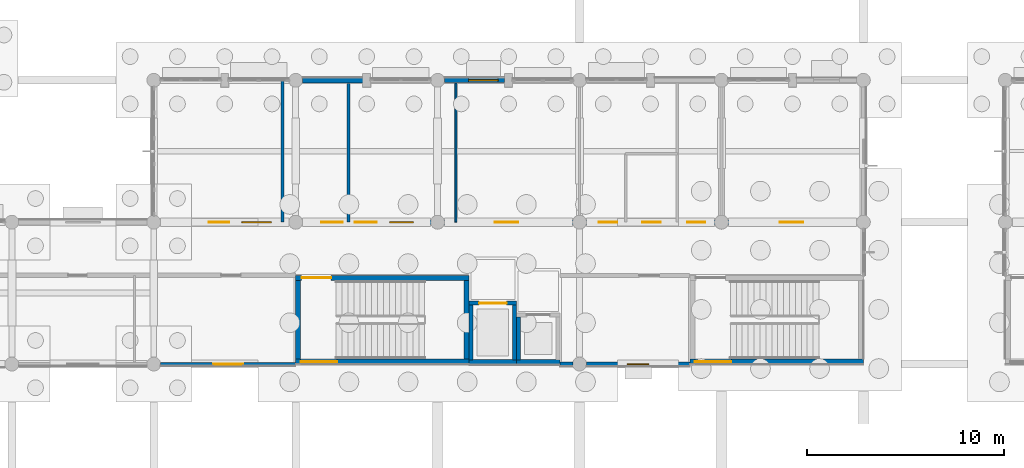
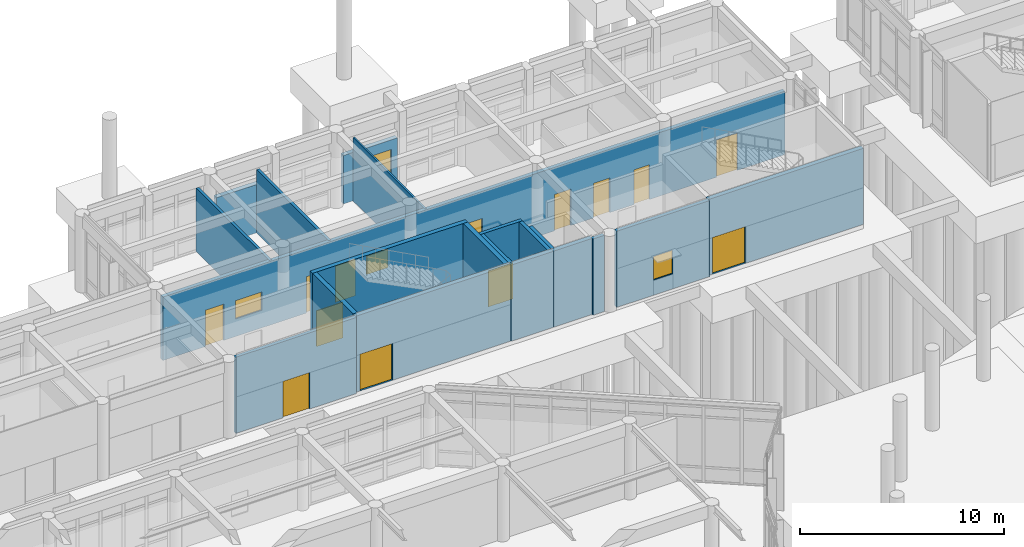
# One storey, part 58 of 103: 20 walls, 13 doors, 4 windows, 17 openings.
"""IFC4 building model written with IfcOpenShell, lengths in metres."""

from ifc_helpers import new_model, si_unit, direction, frame, frame_2d, origin, place, context, subcontext, project, spatial, rectangle, extrude, material, layer, layer_set, type_object, element, fill, save


model = new_model("IFC4")

# Units and contexts
model_context = context("Model", 3, precision=1e-05, world=origin(), true_north=direction((0.0, 1.0)))
body_context = subcontext(model_context, "Body", "Model", "MODEL_VIEW")
ifc_project = project(units=[si_unit("LENGTHUNIT", "METRE"), si_unit("AREAUNIT", "SQUARE_METRE"), si_unit("VOLUMEUNIT", "CUBIC_METRE"), si_unit("PLANEANGLEUNIT", "RADIAN"), si_unit("MASSUNIT", "GRAM", prefix="KILO")], contexts=[model_context])

# Site, building, storey
site_placement = place(None, origin())
site = spatial("IfcSite", under=ifc_project, at=site_placement, CompositionType="ELEMENT")
building_placement = place(site_placement, origin())
building = spatial("IfcBuilding", under=site, at=building_placement, Name="Namkhue Oval Health Centre", CompositionType="ELEMENT")
storey_placement = place(building_placement, origin())
storey = spatial("IfcBuildingStorey", under=building, at=storey_placement, Name="L00", CompositionType="ELEMENT", Elevation=0.0)

# Wall, opening, door
ifc_material_1 = material(Name="Autoclaved aerated concrete blockwork M7.5", Category="masonry")
ifc_layer_1 = layer(ifc_material_1, 0.18994140625)
ifc_layer_set_1 = layer_set([ifc_layer_1], Name="Autoclaved aerated concrete blockwork M7.5")
wall_type_1 = type_object("IfcWallType", Name="EXTERIOR ENVELOPE WALL 190", PredefinedType="STANDARD", material=ifc_layer_set_1)
wall_1_placement = place(storey_placement, frame((50.7451171875, 90.0, 0.0), z_axis=(0.0, 0.0, 1.0), x_axis=(1.0, 0.0, 0.0)))
wall_1 = element("IfcWall", 1, at=wall_1_placement, inside=storey, type_object=wall_type_1, Name="Volume V2 L00 Exterior Envelope Wall 18", PredefinedType="STANDARD", context=body_context, shape_type="SweptSolid", body=[
    extrude(rectangle(XDim=6.852783203125, YDim=0.18994140625, at=frame_2d((3.42626953125, 0.0))), origin(), (0.0, 0.0, 1.0), 4.56005859375),
])
opening_1_placement = place(wall_1_placement, frame((2.66650390625, 0.0, 0.0)))
opening_1 = element("IfcOpeningElement", 2, at=opening_1_placement, cuts=wall_1, Name="Opening ED-06", PredefinedType="OPENING", context=body_context, shape_type="SweptSolid", body=[
    extrude(rectangle(XDim=1.52001953125, YDim=2.179931640625, at=frame_2d((0.760009765625, 1.08984375))), frame((0.0, 0.10498046875, 0.0), z_axis=(0.0, -1.0, 0.0), x_axis=(1.0, 0.0, 0.0)), (0.0, 0.0, 1.0), 0.2099609375),
])
ifc_material_2 = material(Name="Anodised aluminium glazed entrance door", Category="aluminium")
door_type_1 = type_object("IfcDoorType", Name="ENTRANCE DOOR 1520X2180", OperationType="DOUBLE_DOOR_SINGLE_SWING", PredefinedType="DOOR", material=ifc_material_2)
door_1_placement = place(opening_1_placement, frame((1.52001953125, 0.0, 0.0), z_axis=(0.0, 0.0, 1.0), x_axis=(-1.0, 0.0, 0.0)))
door_1 = element("IfcDoor", 3, at=door_1_placement, inside=storey, type_object=door_type_1, Name="Volume V2 Main Pedestrian Entrance Exit Door 6", OperationType="DOUBLE_DOOR_SINGLE_SWING", OverallHeight=2.179931640625, OverallWidth=1.52001953125, PredefinedType="DOOR", context=body_context, shape_type="SweptSolid", body=[
    extrude(rectangle(XDim=1.52001953125, YDim=2.179931640625, at=frame_2d((0.760009765625, 1.08984375))), frame((0.0, 0.02490234375, 0.0), z_axis=(0.0, -1.0, 0.0), x_axis=(1.0, 0.0, 0.0)), (0.0, 0.0, 1.0), 0.050048828125),
])
fill(opening_1, door_1)

# Wall
ifc_layer_2 = layer(ifc_material_1, 0.199951171875)
ifc_layer_set_2 = layer_set([ifc_layer_2], Name="Autoclaved aerated concrete blockwork M7.5")
wall_type_2 = type_object("IfcWallType", Name="EXTERIOR ENVELOPE WALL 200", PredefinedType="STANDARD", material=ifc_layer_set_2)
wall_2_placement = place(storey_placement, frame((71.001953125, 90.0, 0.0), z_axis=(0.0, 0.0, 1.0), x_axis=(1.0, 0.0, 0.0)))
element("IfcWall", 4, at=wall_2_placement, inside=storey, type_object=wall_type_2, Name="Volume V2 L00 Exterior Envelope Wall 19", PredefinedType="STANDARD", context=body_context, shape_type="SweptSolid", body=[
    extrude(rectangle(XDim=0.653076171875, YDim=0.199951171875, at=frame_2d((0.32666015625, 0.0))), origin(), (0.0, 0.0, 1.0), 4.56005859375),
])

# Wall, opening, window
ifc_layer_3 = layer(ifc_material_1, 0.2099609375)
ifc_layer_set_3 = layer_set([ifc_layer_3], Name="Autoclaved aerated concrete blockwork M7.5")
wall_type_3 = type_object("IfcWallType", Name="EXTERIOR ENVELOPE WALL 210", PredefinedType="STANDARD", material=ifc_layer_set_3)
wall_3_placement = place(storey_placement, frame((72.344970703125, 90.0, 0.0), z_axis=(0.0, 0.0, 1.0), x_axis=(1.0, 0.0, 0.0)))
wall_3 = element("IfcWall", 5, at=wall_3_placement, inside=storey, type_object=wall_type_3, Name="Volume V2 L00 Exterior Envelope Wall 20", PredefinedType="STANDARD", context=body_context, shape_type="SweptSolid", body=[
    extrude(rectangle(XDim=5.2529296875, YDim=0.2099609375, at=frame_2d((2.62646484375, 0.0))), origin(), (0.0, 0.0, 1.0), 4.56005859375),
])
opening_2_placement = place(wall_3_placement, frame((2.076416015625, 0.0, 0.89990234375)))
opening_2 = element("IfcOpeningElement", 6, at=opening_2_placement, cuts=wall_3, Name="Opening WN-11", PredefinedType="OPENING", context=body_context, shape_type="SweptSolid", body=[
    extrude(rectangle(XDim=1.10009765625, YDim=1.419921875, at=frame_2d((0.550048828125, 0.7099609375))), frame((0.0, 0.114990234375, 0.0), z_axis=(0.0, -1.0, 0.0), x_axis=(1.0, 0.0, 0.0)), (0.0, 0.0, 1.0), 0.22998046875),
])
ifc_material_3 = material(Name="Thermally broken low-E laminated double glazing", Category="glass")
window_type_1 = type_object("IfcWindowType", Name="EXTERIOR WINDOW 1100X1420", PartitioningType="SINGLE_PANEL", PredefinedType="WINDOW", material=ifc_material_3)
window_1_placement = place(opening_2_placement, origin())
window_1 = element("IfcWindow", 7, at=window_1_placement, inside=storey, type_object=window_type_1, Name="Volume V2 L00 Exterior Window 11", OverallHeight=1.419921875, OverallWidth=1.10009765625, PartitioningType="SINGLE_PANEL", PredefinedType="WINDOW", context=body_context, shape_type="SweptSolid", body=[
    extrude(rectangle(XDim=1.10009765625, YDim=1.419921875, at=frame_2d((0.550048828125, 0.7099609375))), frame((0.0, 0.030029296875, 0.0), z_axis=(0.0, -1.0, 0.0), x_axis=(1.0, 0.0, 0.0)), (0.0, 0.0, 1.0), 0.06005859375),
])
fill(opening_2, window_1)

ifc_layer_4 = layer(ifc_material_1, 0.25)
ifc_layer_set_4 = layer_set([ifc_layer_4], Name="Autoclaved aerated concrete blockwork M7.5")
wall_type_4 = type_object("IfcWallType", Name="EXTERIOR ENVELOPE WALL 250", PredefinedType="STANDARD", material=ifc_layer_set_4)
wall_4_placement = place(storey_placement, frame((68.2041015625, 104.39990234375, 0.0), z_axis=(0.0, 0.0, 1.0), x_axis=(-1.0, 0.0, 0.0)))
wall_4 = element("IfcWall", 8, at=wall_4_placement, inside=storey, type_object=wall_type_4, Name="Volume V2 L00 Exterior Envelope Wall 24", PredefinedType="STANDARD", context=body_context, shape_type="SweptSolid", body=[
    extrude(rectangle(XDim=3.05908203125, YDim=0.25, at=frame_2d((1.529541015625, 0.0))), origin(), (0.0, 0.0, 1.0), 2.89990234375),
])
opening_3_placement = place(wall_4_placement, frame((0.32958984375, 0.0, 0.89990234375)))
opening_3 = element("IfcOpeningElement", 9, at=opening_3_placement, cuts=wall_4, Name="Opening WN-15", PredefinedType="OPENING", context=body_context, shape_type="SweptSolid", body=[
    extrude(rectangle(XDim=1.5, YDim=1.419921875, at=frame_2d((0.75, 0.7099609375))), frame((0.0, 0.135009765625, 0.0), z_axis=(0.0, -1.0, 0.0), x_axis=(1.0, 0.0, 0.0)), (0.0, 0.0, 1.0), 0.27001953125),
])
window_type_2 = type_object("IfcWindowType", Name="EXTERIOR WINDOW 1500X1420", PartitioningType="SINGLE_PANEL", PredefinedType="WINDOW", material=ifc_material_3)
window_2_placement = place(opening_3_placement, origin())
window_2 = element("IfcWindow", 10, at=window_2_placement, inside=storey, type_object=window_type_2, Name="Volume V2 L00 Exterior Window 15", OverallHeight=1.419921875, OverallWidth=1.5, PartitioningType="SINGLE_PANEL", PredefinedType="WINDOW", context=body_context, shape_type="SweptSolid", body=[
    extrude(rectangle(XDim=1.5, YDim=1.419921875, at=frame_2d((0.75, 0.7099609375))), frame((0.0, 0.030029296875, 0.0), z_axis=(0.0, -1.0, 0.0), x_axis=(1.0, 0.0, 0.0)), (0.0, 0.0, 1.0), 0.06005859375),
])
fill(opening_3, window_2)

# Wall
ifc_layer_5 = layer(ifc_material_1, 0.260009765625)
ifc_layer_set_5 = layer_set([ifc_layer_5], Name="Autoclaved aerated concrete blockwork M7.5")
wall_type_5 = type_object("IfcWallType", Name="EXTERIOR ENVELOPE WALL 260", PredefinedType="STANDARD", material=ifc_layer_set_5)
wall_5_placement = place(storey_placement, frame((61.00390625, 104.39990234375, 0.0), z_axis=(0.0, 0.0, 1.0), x_axis=(-1.0, 0.0, 0.0)))
element("IfcWall", 11, at=wall_5_placement, inside=storey, type_object=wall_type_5, Name="Volume V2 L00 Exterior Envelope Wall 25", PredefinedType="STANDARD", context=body_context, shape_type="SweptSolid", body=[
    extrude(rectangle(XDim=3.058837890625, YDim=0.260009765625, at=frame_2d((1.529296875, 0.0))), origin(), (0.0, 0.0, 1.0), 2.89990234375),
])

# Wall, openings, doors, windows
ifc_material_4 = material(Name="Gypsum plasterboard acoustic partition", Category="gypsum")
ifc_layer_6 = layer(ifc_material_4, 0.215087890625)
ifc_layer_set_6 = layer_set([ifc_layer_6], Name="Gypsum plasterboard acoustic partition")
wall_type_6 = type_object("IfcWallType", Name="FIRE PARTITION WALL 215", PredefinedType="PARTITIONING", material=ifc_layer_set_6)
wall_6_placement = place(storey_placement, frame((50.75, 97.199951171875, 0.0), z_axis=(0.0, 0.0, 1.0), x_axis=(1.0, 0.0, 0.0)))
wall_6 = element("IfcWall", 12, at=wall_6_placement, inside=storey, type_object=wall_type_6, Name="Volume V2 L00 Clinical Partition Wall 33", PredefinedType="PARTITIONING", context=body_context, shape_type="SweptSolid", body=[
    extrude(rectangle(XDim=35.300048828125, YDim=0.215087890625, at=frame_2d((17.64990234375, 0.0))), origin(), (0.0, 0.0, 1.0), 3.81005859375),
])
opening_4_placement = place(wall_6_placement, frame((2.43798828125, 0.0, 0.0)))
opening_4 = element("IfcOpeningElement", 13, at=opening_4_placement, cuts=wall_6, Name="Opening CD-15", PredefinedType="OPENING", context=body_context, shape_type="SweptSolid", body=[
    extrude(rectangle(XDim=1.030029296875, YDim=2.179931640625, at=frame_2d((0.51513671875, 1.08984375))), frame((0.0, 0.117431640625, 0.0), z_axis=(0.0, -1.0, 0.0), x_axis=(1.0, 0.0, 0.0)), (0.0, 0.0, 1.0), 0.235107421875),
])
opening_5_placement = place(wall_6_placement, frame((4.117919921875, 0.0, 1.050048828125)))
opening_5 = element("IfcOpeningElement", 14, at=opening_5_placement, cuts=wall_6, Name="Opening IWN-02", PredefinedType="OPENING", context=body_context, shape_type="SweptSolid", body=[
    extrude(rectangle(XDim=1.5, YDim=1.10009765625, at=frame_2d((0.75, 0.550048828125))), frame((0.0, 0.117431640625, 0.0), z_axis=(0.0, -1.0, 0.0), x_axis=(1.0, 0.0, 0.0)), (0.0, 0.0, 1.0), 0.235107421875),
])
opening_6_placement = place(wall_6_placement, frame((8.156982421875, 0.0, 0.0)))
opening_6 = element("IfcOpeningElement", 15, at=opening_6_placement, cuts=wall_6, Name="Opening CD-16", PredefinedType="OPENING", context=body_context, shape_type="SweptSolid", body=[
    extrude(rectangle(XDim=1.080078125, YDim=2.179931640625, at=frame_2d((0.5400390625, 1.08984375))), frame((0.0, 0.117431640625, 0.0), z_axis=(0.0, -1.0, 0.0), x_axis=(1.0, 0.0, 0.0)), (0.0, 0.0, 1.0), 0.235107421875),
])
opening_7_placement = place(wall_6_placement, frame((9.8369140625, 0.0, 0.0)))
opening_7 = element("IfcOpeningElement", 16, at=opening_7_placement, cuts=wall_6, Name="Opening CD-17", PredefinedType="OPENING", context=body_context, shape_type="SweptSolid", body=[
    extrude(rectangle(XDim=1.1298828125, YDim=2.179931640625, at=frame_2d((0.56494140625, 1.08984375))), frame((0.0, 0.117431640625, 0.0), z_axis=(0.0, -1.0, 0.0), x_axis=(1.0, 0.0, 0.0)), (0.0, 0.0, 1.0), 0.235107421875),
])
opening_8_placement = place(wall_6_placement, frame((11.616943359375, 0.0, 1.050048828125)))
opening_8 = element("IfcOpeningElement", 17, at=opening_8_placement, cuts=wall_6, Name="Opening IWN-01", PredefinedType="OPENING", context=body_context, shape_type="SweptSolid", body=[
    extrude(rectangle(XDim=1.199951171875, YDim=1.10009765625, at=frame_2d((0.60009765625, 0.550048828125))), frame((0.0, 0.117431640625, 0.0), z_axis=(0.0, -1.0, 0.0), x_axis=(1.0, 0.0, 0.0)), (0.0, 0.0, 1.0), 0.235107421875),
])
opening_9_placement = place(wall_6_placement, frame((16.951904296875, 0.0, 0.0)))
opening_9 = element("IfcOpeningElement", 18, at=opening_9_placement, cuts=wall_6, Name="Opening CD-18", PredefinedType="OPENING", context=body_context, shape_type="SweptSolid", body=[
    extrude(rectangle(XDim=1.179931640625, YDim=2.179931640625, at=frame_2d((0.58984375, 1.08984375))), frame((0.0, 0.117431640625, 0.0), z_axis=(0.0, -1.0, 0.0), x_axis=(1.0, 0.0, 0.0)), (0.0, 0.0, 1.0), 0.235107421875),
])
opening_10_placement = place(wall_6_placement, frame((22.22998046875, 0.0, 0.0)))
opening_10 = element("IfcOpeningElement", 19, at=opening_10_placement, cuts=wall_6, Name="Opening CD-13", PredefinedType="OPENING", context=body_context, shape_type="SweptSolid", body=[
    extrude(rectangle(XDim=0.919921875, YDim=2.179931640625, at=frame_2d((0.4599609375, 1.08984375))), frame((0.0, 0.117431640625, 0.0), z_axis=(0.0, -1.0, 0.0), x_axis=(1.0, 0.0, 0.0)), (0.0, 0.0, 1.0), 0.235107421875),
])
opening_11_placement = place(wall_6_placement, frame((24.429931640625, 0.0, 0.0)))
opening_11 = element("IfcOpeningElement", 20, at=opening_11_placement, cuts=wall_6, Name="Opening CD-02", PredefinedType="OPENING", context=body_context, shape_type="SweptSolid", body=[
    extrude(rectangle(XDim=0.93994140625, YDim=2.080078125, at=frame_2d((0.469970703125, 1.0400390625))), frame((0.0, 0.117431640625, 0.0), z_axis=(0.0, -1.0, 0.0), x_axis=(1.0, 0.0, 0.0)), (0.0, 0.0, 1.0), 0.235107421875),
])
opening_12_placement = place(wall_6_placement, frame((26.719970703125, 0.0, 0.0)))
opening_12 = element("IfcOpeningElement", 21, at=opening_12_placement, cuts=wall_6, Name="Opening CD-01", PredefinedType="OPENING", context=body_context, shape_type="SweptSolid", body=[
    extrude(rectangle(XDim=0.89990234375, YDim=2.080078125, at=frame_2d((0.449951171875, 1.0400390625))), frame((0.0, 0.117431640625, 0.0), z_axis=(0.0, -1.0, 0.0), x_axis=(1.0, 0.0, 0.0)), (0.0, 0.0, 1.0), 0.235107421875),
])
opening_13_placement = place(wall_6_placement, frame((31.407958984375, 0.0, 0.0)))
opening_13 = element("IfcOpeningElement", 22, at=opening_13_placement, cuts=wall_6, Name="Opening CD-22", PredefinedType="OPENING", context=body_context, shape_type="SweptSolid", body=[
    extrude(rectangle(XDim=1.199951171875, YDim=2.22998046875, at=frame_2d((0.60009765625, 1.114990234375))), frame((0.0, 0.117431640625, 0.0), z_axis=(0.0, -1.0, 0.0), x_axis=(1.0, 0.0, 0.0)), (0.0, 0.0, 1.0), 0.235107421875),
])
ifc_material_5 = material(Name="High-pressure laminate timber clinical door", Category="wood")
door_type_2 = type_object("IfcDoorType", Name="CLINICAL DOOR 1030X2180", OperationType="NOTDEFINED", PredefinedType="DOOR", material=ifc_material_5)
door_2_placement = place(opening_4_placement, origin())
door_2 = element("IfcDoor", 23, at=door_2_placement, inside=storey, type_object=door_type_2, Name="Volume V2 L00 Infectious Isolation Clinic Door 21", OperationType="SINGLE_SWING_LEFT", OverallHeight=2.179931640625, OverallWidth=1.030029296875, PredefinedType="DOOR", context=body_context, shape_type="SweptSolid", body=[
    extrude(rectangle(XDim=1.030029296875, YDim=2.179931640625, at=frame_2d((0.51513671875, 1.08984375))), frame((0.0, 0.02490234375, 0.0), z_axis=(0.0, -1.0, 0.0), x_axis=(1.0, 0.0, 0.0)), (0.0, 0.0, 1.0), 0.050048828125),
])
fill(opening_4, door_2)
door_type_3 = type_object("IfcDoorType", Name="CLINICAL DOOR 1080X2180", OperationType="NOTDEFINED", PredefinedType="DOOR", material=ifc_material_5)
door_3_placement = place(opening_6_placement, origin())
door_3 = element("IfcDoor", 24, at=door_3_placement, inside=storey, type_object=door_type_3, Name="Volume V2 L00 Clean Medical Supply Store Door 22", OperationType="SINGLE_SWING_RIGHT", OverallHeight=2.179931640625, OverallWidth=1.080078125, PredefinedType="DOOR", context=body_context, shape_type="SweptSolid", body=[
    extrude(rectangle(XDim=1.080078125, YDim=2.179931640625, at=frame_2d((0.5400390625, 1.08984375))), frame((0.0, 0.02490234375, 0.0), z_axis=(0.0, -1.0, 0.0), x_axis=(1.0, 0.0, 0.0)), (0.0, 0.0, 1.0), 0.050048828125),
])
fill(opening_6, door_3)
door_type_4 = type_object("IfcDoorType", Name="CLINICAL DOOR 1130X2180", OperationType="NOTDEFINED", PredefinedType="DOOR", material=ifc_material_5)
door_4_placement = place(opening_7_placement, origin())
door_4 = element("IfcDoor", 25, at=door_4_placement, inside=storey, type_object=door_type_4, Name="Volume V2 L00 Paediatric Consultation Room Door 23", OperationType="SINGLE_SWING_LEFT", OverallHeight=2.179931640625, OverallWidth=1.1298828125, PredefinedType="DOOR", context=body_context, shape_type="SweptSolid", body=[
    extrude(rectangle(XDim=1.1298828125, YDim=2.179931640625, at=frame_2d((0.56494140625, 1.08984375))), frame((0.0, 0.02490234375, 0.0), z_axis=(0.0, -1.0, 0.0), x_axis=(1.0, 0.0, 0.0)), (0.0, 0.0, 1.0), 0.050048828125),
])
fill(opening_7, door_4)
door_type_5 = type_object("IfcDoorType", Name="CLINICAL DOOR 1180X2180", OperationType="NOTDEFINED", PredefinedType="DOOR", material=ifc_material_5)
door_5_placement = place(opening_9_placement, origin())
door_5 = element("IfcDoor", 26, at=door_5_placement, inside=storey, type_object=door_type_5, Name="Volume V2 L00 Vaccination Immunisation Room Door 24", OperationType="SINGLE_SWING_RIGHT", OverallHeight=2.179931640625, OverallWidth=1.179931640625, PredefinedType="DOOR", context=body_context, shape_type="SweptSolid", body=[
    extrude(rectangle(XDim=1.179931640625, YDim=2.179931640625, at=frame_2d((0.58984375, 1.08984375))), frame((0.0, 0.02490234375, 0.0), z_axis=(0.0, -1.0, 0.0), x_axis=(1.0, 0.0, 0.0)), (0.0, 0.0, 1.0), 0.050048828125),
])
fill(opening_9, door_5)
door_type_6 = type_object("IfcDoorType", Name="CLINICAL DOOR 1200X2230", OperationType="NOTDEFINED", PredefinedType="DOOR", material=ifc_material_5)
door_6_placement = place(opening_13_placement, origin())
door_6 = element("IfcDoor", 27, at=door_6_placement, inside=storey, type_object=door_type_6, Name="Volume V2 L00 GP Triage Reception Door 28", OperationType="SINGLE_SWING_RIGHT", OverallHeight=2.22998046875, OverallWidth=1.199951171875, PredefinedType="DOOR", context=body_context, shape_type="SweptSolid", body=[
    extrude(rectangle(XDim=1.199951171875, YDim=2.22998046875, at=frame_2d((0.60009765625, 1.114990234375))), frame((0.0, 0.02490234375, 0.0), z_axis=(0.0, -1.0, 0.0), x_axis=(1.0, 0.0, 0.0)), (0.0, 0.0, 1.0), 0.050048828125),
])
fill(opening_13, door_6)
door_type_7 = type_object("IfcDoorType", Name="CLINICAL DOOR 900X2080", OperationType="NOTDEFINED", PredefinedType="DOOR", material=ifc_material_5)
door_7_placement = place(opening_12_placement, origin())
door_7 = element("IfcDoor", 28, at=door_7_placement, inside=storey, type_object=door_type_7, Name="Volume V2 L00 Public Washroom Door 27", OperationType="SINGLE_SWING_LEFT", OverallHeight=2.080078125, OverallWidth=0.89990234375, PredefinedType="DOOR", context=body_context, shape_type="SweptSolid", body=[
    extrude(rectangle(XDim=0.89990234375, YDim=2.080078125, at=frame_2d((0.449951171875, 1.0400390625))), frame((0.0, 0.02490234375, 0.0), z_axis=(0.0, -1.0, 0.0), x_axis=(1.0, 0.0, 0.0)), (0.0, 0.0, 1.0), 0.050048828125),
])
fill(opening_12, door_7)
door_type_8 = type_object("IfcDoorType", Name="CLINICAL DOOR 920X2180", OperationType="NOTDEFINED", PredefinedType="DOOR", material=ifc_material_5)
door_8_placement = place(opening_10_placement, origin())
door_8 = element("IfcDoor", 29, at=door_8_placement, inside=storey, type_object=door_type_8, Name="Volume V2 L00 Clean Medical Utility Room Door 25", OperationType="SINGLE_SWING_RIGHT", OverallHeight=2.179931640625, OverallWidth=0.919921875, PredefinedType="DOOR", context=body_context, shape_type="SweptSolid", body=[
    extrude(rectangle(XDim=0.919921875, YDim=2.179931640625, at=frame_2d((0.4599609375, 1.08984375))), frame((0.0, 0.02490234375, 0.0), z_axis=(0.0, -1.0, 0.0), x_axis=(1.0, 0.0, 0.0)), (0.0, 0.0, 1.0), 0.050048828125),
])
fill(opening_10, door_8)
door_type_9 = type_object("IfcDoorType", Name="CLINICAL DOOR 940X2080", OperationType="NOTDEFINED", PredefinedType="DOOR", material=ifc_material_5)
door_9_placement = place(opening_11_placement, origin())
door_9 = element("IfcDoor", 30, at=door_9_placement, inside=storey, type_object=door_type_9, Name="Volume V2 L00 Accessible WC Door 26", OperationType="SINGLE_SWING_RIGHT", OverallHeight=2.080078125, OverallWidth=0.93994140625, PredefinedType="DOOR", context=body_context, shape_type="SweptSolid", body=[
    extrude(rectangle(XDim=0.93994140625, YDim=2.080078125, at=frame_2d((0.469970703125, 1.0400390625))), frame((0.0, 0.02490234375, 0.0), z_axis=(0.0, -1.0, 0.0), x_axis=(1.0, 0.0, 0.0)), (0.0, 0.0, 1.0), 0.050048828125),
])
fill(opening_11, door_9)
ifc_material_6 = material(Name="Lead-equivalent radiation-shielded observation glass", Category="glass")
window_type_3 = type_object("IfcWindowType", Name="COURTYARD WINDOW OBSERVATION 1200X1100", PartitioningType="SINGLE_PANEL", PredefinedType="WINDOW", material=ifc_material_6)
window_3_placement = place(opening_8_placement, origin())
window_3 = element("IfcWindow", 31, at=window_3_placement, inside=storey, type_object=window_type_3, Name="Volume V2 L00 Clinical Observation Window 8", OverallHeight=1.10009765625, OverallWidth=1.199951171875, PartitioningType="SINGLE_PANEL", PredefinedType="WINDOW", context=body_context, shape_type="SweptSolid", body=[
    extrude(rectangle(XDim=1.199951171875, YDim=1.10009765625, at=frame_2d((0.60009765625, 0.550048828125))), frame((0.0, 0.030029296875, 0.0), z_axis=(0.0, -1.0, 0.0), x_axis=(1.0, 0.0, 0.0)), (0.0, 0.0, 1.0), 0.06005859375),
])
fill(opening_8, window_3)
window_type_4 = type_object("IfcWindowType", Name="COURTYARD WINDOW OBSERVATION 1500X1100", PartitioningType="SINGLE_PANEL", PredefinedType="WINDOW", material=ifc_material_6)
window_4_placement = place(opening_5_placement, origin())
window_4 = element("IfcWindow", 32, at=window_4_placement, inside=storey, type_object=window_type_4, Name="Volume V2 L00 Clinical Observation Window 7", OverallHeight=1.10009765625, OverallWidth=1.5, PartitioningType="SINGLE_PANEL", PredefinedType="WINDOW", context=body_context, shape_type="SweptSolid", body=[
    extrude(rectangle(XDim=1.5, YDim=1.10009765625, at=frame_2d((0.75, 0.550048828125))), frame((0.0, 0.030029296875, 0.0), z_axis=(0.0, -1.0, 0.0), x_axis=(1.0, 0.0, 0.0)), (0.0, 0.0, 1.0), 0.06005859375),
])
fill(opening_5, window_4)

# Walls
ifc_layer_7 = layer(ifc_material_4, 0.10009765625)
ifc_layer_set_7 = layer_set([ifc_layer_7], Name="Gypsum plasterboard acoustic partition")
wall_type_7 = type_object("IfcWallType", Name="INTERIOR PARTITION WALL 100", PredefinedType="PARTITIONING", material=ifc_layer_set_7)
wall_7_placement = place(storey_placement, frame((65.73095703125, 97.199951171875, 0.0), z_axis=(0.0, 0.0, 1.0), x_axis=(0.0, 1.0, 0.0)))
element("IfcWall", 33, at=wall_7_placement, inside=storey, type_object=wall_type_7, Name="Volume V2 L00 Clinical Partition Wall 36", PredefinedType="PARTITIONING", context=body_context, shape_type="SweptSolid", body=[
    extrude(rectangle(XDim=7.052978515625, YDim=0.10009765625, at=frame_2d((3.5263671875, 0.0))), origin(), (0.0, 0.0, 1.0), 3.81005859375),
])
ifc_layer_8 = layer(ifc_material_4, 0.14990234375)
ifc_layer_set_8 = layer_set([ifc_layer_8], Name="Gypsum plasterboard acoustic partition")
wall_type_8 = type_object("IfcWallType", Name="INTERIOR PARTITION WALL 150", PredefinedType="PARTITIONING", material=ifc_layer_set_8)
wall_8_placement = place(storey_placement, frame((56.919921875, 97.199951171875, 0.0), z_axis=(0.0, 0.0, 1.0), x_axis=(0.0, 1.0, 0.0)))
element("IfcWall", 34, at=wall_8_placement, inside=storey, type_object=wall_type_8, Name="Volume V2 L00 Clinical Partition Wall 34", PredefinedType="PARTITIONING", context=body_context, shape_type="SweptSolid", body=[
    extrude(rectangle(XDim=7.16015625, YDim=0.14990234375, at=frame_2d((3.580078125, 0.0))), origin(), (0.0, 0.0, 1.0), 3.81005859375),
])
ifc_layer_9 = layer(ifc_material_4, 0.159912109375)
ifc_layer_set_9 = layer_set([ifc_layer_9], Name="Gypsum plasterboard acoustic partition")
wall_type_9 = type_object("IfcWallType", Name="INTERIOR PARTITION WALL 160", PredefinedType="PARTITIONING", material=ifc_layer_set_9)
wall_9_placement = place(storey_placement, frame((60.287109375, 97.199951171875, 0.0), z_axis=(0.0, 0.0, 1.0), x_axis=(0.0, 1.0, 0.0)))
element("IfcWall", 35, at=wall_9_placement, inside=storey, type_object=wall_type_9, Name="Volume V2 L00 Clinical Partition Wall 35", PredefinedType="PARTITIONING", context=body_context, shape_type="SweptSolid", body=[
    extrude(rectangle(XDim=7.048095703125, YDim=0.159912109375, at=frame_2d((3.52392578125, 0.0))), origin(), (0.0, 0.0, 1.0), 3.81005859375),
])

# Wall, opening, door
ifc_material_7 = material(Name="Reinforced concrete C35/45 (TCVN B40)", Category="concrete")
ifc_layer_10 = layer(ifc_material_7, 0.25)
ifc_layer_set_10 = layer_set([ifc_layer_10], Name="Reinforced concrete C35/45 (TCVN B40)")
wall_type_10 = type_object("IfcWallType", Name="SHEAR CORE WALL EXT 250", PredefinedType="SHEAR", material=ifc_layer_set_10)
wall_10_placement = place(storey_placement, frame((57.60009765625, 90.125, 0.0), z_axis=(0.0, 0.0, 1.0), x_axis=(1.0, 0.0, 0.0)))
wall_10 = element("IfcWall", 36, at=wall_10_placement, inside=storey, type_object=wall_type_10, Name="Core SC-03 L00 Shear Wall S", PredefinedType="SHEAR", context=body_context, shape_type="SweptSolid", body=[
    extrude(rectangle(XDim=8.7998046875, YDim=0.25, at=frame_2d((4.39990234375, 0.0))), origin(), (0.0, 0.0, 1.0), 4.56005859375),
])
opening_14_placement = place(wall_10_placement, frame((0.25, 0.0, 0.0)))
opening_14 = element("IfcOpeningElement", 37, at=opening_14_placement, cuts=wall_10, Name="Opening SD-E1", PredefinedType="OPENING", context=body_context, shape_type="SweptSolid", body=[
    extrude(rectangle(XDim=1.85009765625, YDim=2.199951171875, at=frame_2d((0.925048828125, 1.10009765625))), frame((0.0, 0.135009765625, 0.0), z_axis=(0.0, -1.0, 0.0), x_axis=(1.0, 0.0, 0.0)), (0.0, 0.0, 1.0), 0.27001953125),
])
ifc_material_8 = material(Name="Powder-coated steel fire door assembly", Category="steel")
door_type_10 = type_object("IfcDoorType", Name="ENTRANCE DOOR STAIR EXIT 1850X2200", OperationType="DOUBLE_DOOR_SINGLE_SWING", PredefinedType="DOOR", material=ifc_material_8)
door_10_placement = place(opening_14_placement, frame((1.85009765625, 0.0, 0.0), z_axis=(0.0, 0.0, 1.0), x_axis=(-1.0, 0.0, 0.0)))
door_10 = element("IfcDoor", 38, at=door_10_placement, inside=storey, type_object=door_type_10, Name="Stair ST-03 Ground Final Exit Discharge Door", OperationType="DOUBLE_DOOR_SINGLE_SWING", OverallHeight=2.199951171875, OverallWidth=1.85009765625, PredefinedType="DOOR", context=body_context, shape_type="SweptSolid", body=[
    extrude(rectangle(XDim=1.85009765625, YDim=2.199951171875, at=frame_2d((0.925048828125, 1.10009765625))), frame((0.0, 0.02490234375, 0.0), z_axis=(0.0, -1.0, 0.0), x_axis=(1.0, 0.0, 0.0)), (0.0, 0.0, 1.0), 0.050048828125),
])
fill(opening_14, door_10)

wall_11_placement = place(storey_placement, frame((77.60009765625, 90.125, 0.0), z_axis=(0.0, 0.0, 1.0), x_axis=(1.0, 0.0, 0.0)))
wall_11 = element("IfcWall", 39, at=wall_11_placement, inside=storey, type_object=wall_type_10, Name="Core SC-04 L00 Shear Wall S", PredefinedType="SHEAR", context=body_context, shape_type="SweptSolid", body=[
    extrude(rectangle(XDim=8.7998046875, YDim=0.25, at=frame_2d((4.39990234375, 0.0))), origin(), (0.0, 0.0, 1.0), 4.56005859375),
])
opening_15_placement = place(wall_11_placement, frame((0.25, 0.0, 0.0)))
opening_15 = element("IfcOpeningElement", 40, at=opening_15_placement, cuts=wall_11, Name="Opening SD-E1", PredefinedType="OPENING", context=body_context, shape_type="SweptSolid", body=[
    extrude(rectangle(XDim=1.85009765625, YDim=2.199951171875, at=frame_2d((0.925048828125, 1.10009765625))), frame((0.0, 0.135009765625, 0.0), z_axis=(0.0, -1.0, 0.0), x_axis=(1.0, 0.0, 0.0)), (0.0, 0.0, 1.0), 0.27001953125),
])
door_11_placement = place(opening_15_placement, frame((1.85009765625, 0.0, 0.0), z_axis=(0.0, 0.0, 1.0), x_axis=(-1.0, 0.0, 0.0)))
door_11 = element("IfcDoor", 41, at=door_11_placement, inside=storey, type_object=door_type_10, Name="Stair ST-04 Ground Final Exit Discharge Door", OperationType="DOUBLE_DOOR_SINGLE_SWING", OverallHeight=2.199951171875, OverallWidth=1.85009765625, PredefinedType="DOOR", context=body_context, shape_type="SweptSolid", body=[
    extrude(rectangle(XDim=1.85009765625, YDim=2.199951171875, at=frame_2d((0.925048828125, 1.10009765625))), frame((0.0, 0.02490234375, 0.0), z_axis=(0.0, -1.0, 0.0), x_axis=(1.0, 0.0, 0.0)), (0.0, 0.0, 1.0), 0.050048828125),
])
fill(opening_15, door_11)

# Walls
wall_12_placement = place(storey_placement, frame((66.39990234375, 90.10009765625, 0.0), z_axis=(0.0, 0.0, 1.0), x_axis=(1.0, 0.0, 0.0)))
element("IfcWall", 42, at=wall_12_placement, inside=storey, type_object=wall_type_10, Name="Lift LF-01 L00 Shaft Wall S", PredefinedType="SHEAR", context=body_context, shape_type="SweptSolid", body=[
    extrude(rectangle(XDim=2.400146484375, YDim=0.25, at=frame_2d((1.2001953125, 0.0))), origin(), (0.0, 0.0, 1.0), 4.56005859375),
])
wall_13_placement = place(storey_placement, frame((68.800048828125, 90.10009765625, 0.0), z_axis=(0.0, 0.0, 1.0), x_axis=(1.0, 0.0, 0.0)))
element("IfcWall", 43, at=wall_13_placement, inside=storey, type_object=wall_type_10, Name="Lift LF-02 L00 Shaft Wall S", PredefinedType="SHEAR", context=body_context, shape_type="SweptSolid", body=[
    extrude(rectangle(XDim=2.199951171875, YDim=0.25, at=frame_2d((1.10009765625, 0.0))), origin(), (0.0, 0.0, 1.0), 4.56005859375),
])
ifc_layer_11 = layer(ifc_material_7, 0.199951171875)
ifc_layer_set_11 = layer_set([ifc_layer_11], Name="Reinforced concrete C35/45 (TCVN B40)")
wall_type_11 = type_object("IfcWallType", Name="SHEAR CORE WALL INT 200", PredefinedType="SHEAR", material=ifc_layer_set_11)
wall_14_placement = place(storey_placement, frame((68.699951171875, 90.199951171875, 0.0), z_axis=(0.0, 0.0, 1.0), x_axis=(0.0, 1.0, 0.0)))
element("IfcWall", 44, at=wall_14_placement, inside=storey, type_object=wall_type_11, Name="Lift LF-01 L00 Shaft Wall E", PredefinedType="SHEAR", context=body_context, shape_type="SweptSolid", body=[
    extrude(rectangle(XDim=2.800048828125, YDim=0.199951171875, at=frame_2d((1.39990234375, 0.0))), origin(), (0.0, 0.0, 1.0), 4.56005859375),
])

# Wall, opening, door
wall_15_placement = place(storey_placement, frame((68.800048828125, 93.10009765625, 0.0), z_axis=(0.0, 0.0, 1.0), x_axis=(-1.0, 0.0, 0.0)))
wall_15 = element("IfcWall", 45, at=wall_15_placement, inside=storey, type_object=wall_type_11, Name="Lift LF-01 L00 Shaft Wall N", PredefinedType="SHEAR", context=body_context, shape_type="SweptSolid", body=[
    extrude(rectangle(XDim=2.400146484375, YDim=0.199951171875, at=frame_2d((1.2001953125, 0.0))), origin(), (0.0, 0.0, 1.0), 4.56005859375),
])
opening_16_placement = place(wall_15_placement, frame((0.5, 0.0, 0.0)))
opening_16 = element("IfcOpeningElement", 46, at=opening_16_placement, cuts=wall_15, Name="Opening LD-01", PredefinedType="OPENING", context=body_context, shape_type="SweptSolid", body=[
    extrude(rectangle(XDim=1.39990234375, YDim=2.14990234375, at=frame_2d((0.699951171875, 1.074951171875))), frame((0.0, 0.10986328125, 0.0), z_axis=(0.0, -1.0, 0.0), x_axis=(1.0, 0.0, 0.0)), (0.0, 0.0, 1.0), 0.219970703125),
])
door_type_11 = type_object("IfcDoorType", Name="LIFT LANDING DOOR STRETCHER 1400X2150", OperationType="DOUBLE_DOOR_SLIDING", PredefinedType="DOOR", material=ifc_material_8)
door_12_placement = place(opening_16_placement, frame((1.39990234375, 0.0, 0.0), z_axis=(0.0, 0.0, 1.0), x_axis=(-1.0, 0.0, 0.0)))
door_12 = element("IfcDoor", 47, at=door_12_placement, inside=storey, type_object=door_type_11, Name="Lift LF-01 L00 Sliding Landing Door", OperationType="DOUBLE_DOOR_SLIDING", OverallHeight=2.14990234375, OverallWidth=1.39990234375, PredefinedType="DOOR", context=body_context, shape_type="SweptSolid", body=[
    extrude(rectangle(XDim=1.39990234375, YDim=2.14990234375, at=frame_2d((0.699951171875, 1.074951171875))), frame((0.0, 0.02490234375, 0.0), z_axis=(0.0, -1.0, 0.0), x_axis=(1.0, 0.0, 0.0)), (0.0, 0.0, 1.0), 0.050048828125),
])
fill(opening_16, door_12)

# Walls
wall_16_placement = place(storey_placement, frame((66.5, 93.0, 0.0), z_axis=(0.0, 0.0, 1.0), x_axis=(0.0, -1.0, 0.0)))
element("IfcWall", 48, at=wall_16_placement, inside=storey, type_object=wall_type_11, Name="Lift LF-01 L00 Shaft Wall W", PredefinedType="SHEAR", context=body_context, shape_type="SweptSolid", body=[
    extrude(rectangle(XDim=2.800048828125, YDim=0.199951171875, at=frame_2d((1.39990234375, 0.0))), origin(), (0.0, 0.0, 1.0), 4.56005859375),
])
wall_17_placement = place(storey_placement, frame((68.89990234375, 92.39990234375, 0.0), z_axis=(0.0, 0.0, 1.0), x_axis=(0.0, -1.0, 0.0)))
element("IfcWall", 49, at=wall_17_placement, inside=storey, type_object=wall_type_11, Name="Lift LF-02 L00 Shaft Wall W", PredefinedType="SHEAR", context=body_context, shape_type="SweptSolid", body=[
    extrude(rectangle(XDim=2.199951171875, YDim=0.199951171875, at=frame_2d((1.10009765625, 0.0))), origin(), (0.0, 0.0, 1.0), 4.56005859375),
])
ifc_layer_12 = layer(ifc_material_7, 0.25)
ifc_layer_set_12 = layer_set([ifc_layer_12], Name="Reinforced concrete C35/45 (TCVN B40)")
wall_type_12 = type_object("IfcWallType", Name="SHEAR CORE WALL INT 250", PredefinedType="SHEAR", material=ifc_layer_set_12)
wall_18_placement = place(storey_placement, frame((66.27490234375, 90.25, 0.0), z_axis=(0.0, 0.0, 1.0), x_axis=(0.0, 1.0, 0.0)))
element("IfcWall", 50, at=wall_18_placement, inside=storey, type_object=wall_type_12, Name="Core SC-03 L00 Shear Wall E", PredefinedType="SHEAR", context=body_context, shape_type="SweptSolid", body=[
    extrude(rectangle(XDim=4.0, YDim=0.25, at=frame_2d((2.0, 0.0))), origin(), (0.0, 0.0, 1.0), 4.56005859375),
])

# Wall, opening, door
wall_19_placement = place(storey_placement, frame((66.39990234375, 94.375, 0.0), z_axis=(0.0, 0.0, 1.0), x_axis=(-1.0, 0.0, 0.0)))
wall_19 = element("IfcWall", 51, at=wall_19_placement, inside=storey, type_object=wall_type_12, Name="Core SC-03 L00 Shear Wall N", PredefinedType="SHEAR", context=body_context, shape_type="SweptSolid", body=[
    extrude(rectangle(XDim=8.7998046875, YDim=0.25, at=frame_2d((4.39990234375, 0.0))), origin(), (0.0, 0.0, 1.0), 4.56005859375),
])
opening_17_placement = place(wall_19_placement, frame((7.0, 0.0, 0.0)))
opening_17 = element("IfcOpeningElement", 52, at=opening_17_placement, cuts=wall_19, Name="Opening SD-I1", PredefinedType="OPENING", context=body_context, shape_type="SweptSolid", body=[
    extrude(rectangle(XDim=1.5, YDim=2.14990234375, at=frame_2d((0.75, 1.074951171875))), frame((0.0, 0.135009765625, 0.0), z_axis=(0.0, -1.0, 0.0), x_axis=(1.0, 0.0, 0.0)), (0.0, 0.0, 1.0), 0.27001953125),
])
door_type_12 = type_object("IfcDoorType", Name="CLINICAL DOOR STAIR CORE 1500X2150", OperationType="DOUBLE_DOOR_SINGLE_SWING", PredefinedType="DOOR", material=ifc_material_8)
door_13_placement = place(opening_17_placement, origin())
door_13 = element("IfcDoor", 53, at=door_13_placement, inside=storey, type_object=door_type_12, Name="Stair ST-03 L00 Stair Enclosure Fire Door", OperationType="DOUBLE_DOOR_SINGLE_SWING", OverallHeight=2.14990234375, OverallWidth=1.5, PredefinedType="DOOR", context=body_context, shape_type="SweptSolid", body=[
    extrude(rectangle(XDim=1.5, YDim=2.14990234375, at=frame_2d((0.75, 1.074951171875))), frame((0.0, 0.02490234375, 0.0), z_axis=(0.0, -1.0, 0.0), x_axis=(1.0, 0.0, 0.0)), (0.0, 0.0, 1.0), 0.050048828125),
])
fill(opening_17, door_13)

# Wall
wall_20_placement = place(storey_placement, frame((57.72509765625, 94.25, 0.0), z_axis=(0.0, 0.0, 1.0), x_axis=(0.0, -1.0, 0.0)))
element("IfcWall", 54, at=wall_20_placement, inside=storey, type_object=wall_type_12, Name="Core SC-03 L00 Shear Wall W", PredefinedType="SHEAR", context=body_context, shape_type="SweptSolid", body=[
    extrude(rectangle(XDim=4.0, YDim=0.25, at=frame_2d((2.0, 0.0))), origin(), (0.0, 0.0, 1.0), 4.56005859375),
])

save(model, "model.ifc")
